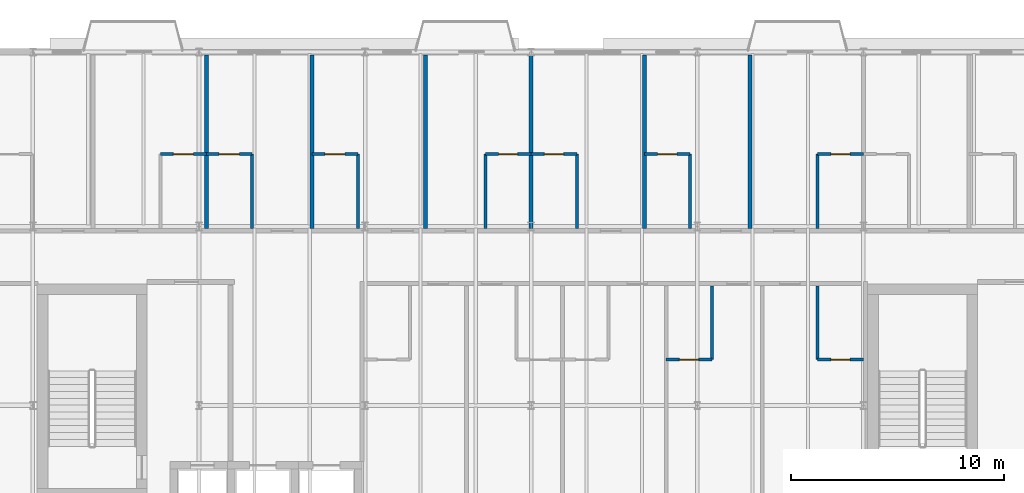
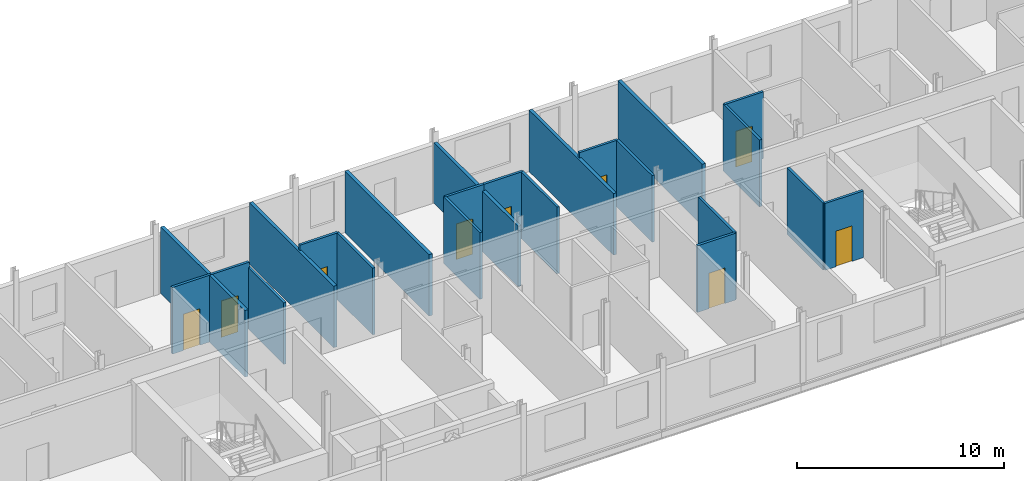
# One storey, part 15 of 22: 23 walls, 9 doors, 9 openings.
"""IFC4 building model written with IfcOpenShell, lengths in metres."""

from ifc_helpers import new_model, si_unit, direction, frame, frame_2d, origin, place, context, subcontext, project, spatial, rectangle, extrude, material, layer, layer_set, type_object, element, fill, save


model = new_model("IFC4")

# Units and contexts
model_context = context("Model", 3, precision=1e-05, world=origin(), true_north=direction((0.0, 1.0)))
body_context = subcontext(model_context, "Body", "Model", "MODEL_VIEW")
ifc_project = project(units=[si_unit("LENGTHUNIT", "METRE"), si_unit("AREAUNIT", "SQUARE_METRE"), si_unit("VOLUMEUNIT", "CUBIC_METRE"), si_unit("PLANEANGLEUNIT", "RADIAN"), si_unit("MASSUNIT", "GRAM", prefix="KILO")], contexts=[model_context])

# Site, building, storey
site_placement = place(None, origin())
site = spatial("IfcSite", under=ifc_project, at=site_placement, CompositionType="ELEMENT")
building_placement = place(site_placement, origin())
building = spatial("IfcBuilding", under=site, at=building_placement, Name="Sefraquen Railside Congress Hotel", CompositionType="ELEMENT")
storey_placement = place(building_placement, frame((0.0, 0.0, 42.60009765625)))
storey = spatial("IfcBuildingStorey", under=building, at=storey_placement, Name="L10", CompositionType="ELEMENT", Elevation=42.60009765625)

# Wall, opening, door
ifc_material_1 = material(Name="Moisture-resistant gypsum board", Category="gypsum")
ifc_layer_1 = layer(ifc_material_1, 0.139892578125)
ifc_layer_set_1 = layer_set([ifc_layer_1], Name="Moisture-resistant gypsum board")
wall_type_1 = type_object("IfcWallType", Name="TW-PW-140", PredefinedType="PARTITIONING", material=ifc_layer_set_1)
wall_1_placement = place(storey_placement, frame((31.196044921875, 113.199951171875, 0.0), z_axis=(0.0, 0.0, 1.0), x_axis=(1.0, 0.0, 0.0)))
wall_1 = element("IfcWall", 1, at=wall_1_placement, inside=storey, type_object=wall_type_1, Name="En-suite bathroom north wall RM-002", PredefinedType="PARTITIONING", context=body_context, shape_type="SweptSolid", body=[
    extrude(rectangle(XDim=2.14990234375, YDim=0.139892578125, at=frame_2d((1.074951171875, 0.0))), origin(), (0.0, 0.0, 1.0), 3.93994140625),
])
opening_1_placement = place(wall_1_placement, frame((0.60498046875, 0.0, 0.0)))
opening_1 = element("IfcOpeningElement", 2, at=opening_1_placement, cuts=wall_1, Name="Opening ID-01", PredefinedType="OPENING", context=body_context, shape_type="SweptSolid", body=[
    extrude(rectangle(XDim=0.93994140625, YDim=2.14990234375, at=frame_2d((0.469970703125, 1.074951171875))), frame((0.0, 0.079833984375, 0.0), z_axis=(0.0, -1.0, 0.0), x_axis=(1.0, 0.0, 0.0)), (0.0, 0.0, 1.0), 0.159912109375),
])
ifc_material_2 = material(Name="Lacquered cedar joinery", Category="wood")
door_type_1 = type_object("IfcDoorType", Name="TD-ID-01", OperationType="NOTDEFINED", PredefinedType="DOOR", material=ifc_material_2)
door_1_placement = place(opening_1_placement, origin())
door_1 = element("IfcDoor", 3, at=door_1_placement, inside=storey, type_object=door_type_1, Name="En-suite bathroom door RM-002", OperationType="SINGLE_SWING_LEFT", OverallHeight=2.14990234375, OverallWidth=0.93994140625, PredefinedType="DOOR", context=body_context, shape_type="SweptSolid", body=[
    extrude(rectangle(XDim=0.93994140625, YDim=2.14990234375, at=frame_2d((0.469970703125, 1.074951171875))), frame((0.0, 0.02490234375, 0.0), z_axis=(0.0, -1.0, 0.0), x_axis=(1.0, 0.0, 0.0)), (0.0, 0.0, 1.0), 0.050048828125),
])
fill(opening_1, door_1)

# Wall
wall_2_placement = place(storey_placement, frame((35.49609375, 109.699951171875, 0.0), z_axis=(0.0, 0.0, 1.0), x_axis=(0.0, 1.0, 0.0)))
element("IfcWall", 4, at=wall_2_placement, inside=storey, type_object=wall_type_1, Name="En-suite bathroom east wall RM-003", PredefinedType="PARTITIONING", context=body_context, shape_type="SweptSolid", body=[
    extrude(rectangle(XDim=3.5, YDim=0.139892578125, at=frame_2d((1.75, 0.0))), origin(), (0.0, 0.0, 1.0), 3.6298828125),
])

# Wall, opening, door
wall_3_placement = place(storey_placement, frame((33.345947265625, 113.199951171875, 0.0), z_axis=(0.0, 0.0, 1.0), x_axis=(1.0, 0.0, 0.0)))
wall_3 = element("IfcWall", 5, at=wall_3_placement, inside=storey, type_object=wall_type_1, Name="En-suite bathroom north wall RM-003", PredefinedType="PARTITIONING", context=body_context, shape_type="SweptSolid", body=[
    extrude(rectangle(XDim=2.150146484375, YDim=0.139892578125, at=frame_2d((1.0751953125, 0.0))), origin(), (0.0, 0.0, 1.0), 3.93994140625),
])
opening_2_placement = place(wall_3_placement, frame((0.60498046875, 0.0, 0.0)))
opening_2 = element("IfcOpeningElement", 6, at=opening_2_placement, cuts=wall_3, Name="Opening ID-01", PredefinedType="OPENING", context=body_context, shape_type="SweptSolid", body=[
    extrude(rectangle(XDim=0.93994140625, YDim=2.14990234375, at=frame_2d((0.469970703125, 1.074951171875))), frame((0.0, 0.079833984375, 0.0), z_axis=(0.0, -1.0, 0.0), x_axis=(1.0, 0.0, 0.0)), (0.0, 0.0, 1.0), 0.159912109375),
])
door_2_placement = place(opening_2_placement, origin())
door_2 = element("IfcDoor", 7, at=door_2_placement, inside=storey, type_object=door_type_1, Name="En-suite bathroom door RM-003", OperationType="SINGLE_SWING_LEFT", OverallHeight=2.14990234375, OverallWidth=0.93994140625, PredefinedType="DOOR", context=body_context, shape_type="SweptSolid", body=[
    extrude(rectangle(XDim=0.93994140625, YDim=2.14990234375, at=frame_2d((0.469970703125, 1.074951171875))), frame((0.0, 0.02490234375, 0.0), z_axis=(0.0, -1.0, 0.0), x_axis=(1.0, 0.0, 0.0)), (0.0, 0.0, 1.0), 0.050048828125),
])
fill(opening_2, door_2)

# Wall
wall_4_placement = place(storey_placement, frame((40.458984375, 109.699951171875, 0.0), z_axis=(0.0, 0.0, 1.0), x_axis=(0.0, 1.0, 0.0)))
element("IfcWall", 8, at=wall_4_placement, inside=storey, type_object=wall_type_1, Name="En-suite bathroom east wall RM-004", PredefinedType="PARTITIONING", context=body_context, shape_type="SweptSolid", body=[
    extrude(rectangle(XDim=3.5, YDim=0.139892578125, at=frame_2d((1.75, 0.0))), origin(), (0.0, 0.0, 1.0), 3.93994140625),
])

# Wall, opening, door
wall_5_placement = place(storey_placement, frame((38.30908203125, 113.199951171875, 0.0), z_axis=(0.0, 0.0, 1.0), x_axis=(1.0, 0.0, 0.0)))
wall_5 = element("IfcWall", 9, at=wall_5_placement, inside=storey, type_object=wall_type_1, Name="En-suite bathroom north wall RM-004", PredefinedType="PARTITIONING", context=body_context, shape_type="SweptSolid", body=[
    extrude(rectangle(XDim=2.14990234375, YDim=0.139892578125, at=frame_2d((1.074951171875, 0.0))), origin(), (0.0, 0.0, 1.0), 3.93994140625),
])
opening_3_placement = place(wall_5_placement, frame((0.60498046875, 0.0, 0.0)))
opening_3 = element("IfcOpeningElement", 10, at=opening_3_placement, cuts=wall_5, Name="Opening ID-01", PredefinedType="OPENING", context=body_context, shape_type="SweptSolid", body=[
    extrude(rectangle(XDim=0.93994140625, YDim=2.14990234375, at=frame_2d((0.469970703125, 1.074951171875))), frame((0.0, 0.079833984375, 0.0), z_axis=(0.0, -1.0, 0.0), x_axis=(1.0, 0.0, 0.0)), (0.0, 0.0, 1.0), 0.159912109375),
])
door_3_placement = place(opening_3_placement, origin())
door_3 = element("IfcDoor", 11, at=door_3_placement, inside=storey, type_object=door_type_1, Name="En-suite bathroom door RM-004", OperationType="SINGLE_SWING_LEFT", OverallHeight=2.14990234375, OverallWidth=0.93994140625, PredefinedType="DOOR", context=body_context, shape_type="SweptSolid", body=[
    extrude(rectangle(XDim=0.93994140625, YDim=2.14990234375, at=frame_2d((0.469970703125, 1.074951171875))), frame((0.0, 0.02490234375, 0.0), z_axis=(0.0, -1.0, 0.0), x_axis=(1.0, 0.0, 0.0)), (0.0, 0.0, 1.0), 0.050048828125),
])
fill(opening_3, door_3)

# Wall
wall_6_placement = place(storey_placement, frame((46.444091796875, 109.699951171875, 0.0), z_axis=(0.0, 0.0, 1.0), x_axis=(0.0, 1.0, 0.0)))
element("IfcWall", 12, at=wall_6_placement, inside=storey, type_object=wall_type_1, Name="En-suite bathroom west wall RM-005", PredefinedType="PARTITIONING", context=body_context, shape_type="SweptSolid", body=[
    extrude(rectangle(XDim=3.5, YDim=0.139892578125, at=frame_2d((1.75, 0.0))), origin(), (0.0, 0.0, 1.0), 3.93994140625),
])

# Wall, opening, door
wall_7_placement = place(storey_placement, frame((46.444091796875, 113.199951171875, 0.0), z_axis=(0.0, 0.0, 1.0), x_axis=(1.0, 0.0, 0.0)))
wall_7 = element("IfcWall", 13, at=wall_7_placement, inside=storey, type_object=wall_type_1, Name="En-suite bathroom north wall RM-005", PredefinedType="PARTITIONING", context=body_context, shape_type="SweptSolid", body=[
    extrude(rectangle(XDim=2.14990234375, YDim=0.139892578125, at=frame_2d((1.074951171875, 0.0))), origin(), (0.0, 0.0, 1.0), 3.93994140625),
])
opening_4_placement = place(wall_7_placement, frame((0.625, 0.0, 0.0)))
opening_4 = element("IfcOpeningElement", 14, at=opening_4_placement, cuts=wall_7, Name="Opening ID-02", PredefinedType="OPENING", context=body_context, shape_type="SweptSolid", body=[
    extrude(rectangle(XDim=0.89990234375, YDim=2.10009765625, at=frame_2d((0.449951171875, 1.050048828125))), frame((0.0, 0.079833984375, 0.0), z_axis=(0.0, -1.0, 0.0), x_axis=(1.0, 0.0, 0.0)), (0.0, 0.0, 1.0), 0.159912109375),
])
door_type_2 = type_object("IfcDoorType", Name="TD-ID-02", OperationType="NOTDEFINED", PredefinedType="DOOR", material=ifc_material_2)
door_4_placement = place(opening_4_placement, origin())
door_4 = element("IfcDoor", 15, at=door_4_placement, inside=storey, type_object=door_type_2, Name="En-suite bathroom door RM-005", OperationType="SINGLE_SWING_LEFT", OverallHeight=2.10009765625, OverallWidth=0.89990234375, PredefinedType="DOOR", context=body_context, shape_type="SweptSolid", body=[
    extrude(rectangle(XDim=0.89990234375, YDim=2.10009765625, at=frame_2d((0.449951171875, 1.050048828125))), frame((0.0, 0.02490234375, 0.0), z_axis=(0.0, -1.0, 0.0), x_axis=(1.0, 0.0, 0.0)), (0.0, 0.0, 1.0), 0.050048828125),
])
fill(opening_4, door_4)

# Wall
wall_8_placement = place(storey_placement, frame((50.743896484375, 109.699951171875, 0.0), z_axis=(0.0, 0.0, 1.0), x_axis=(0.0, 1.0, 0.0)))
element("IfcWall", 16, at=wall_8_placement, inside=storey, type_object=wall_type_1, Name="En-suite bathroom east wall RM-006", PredefinedType="PARTITIONING", context=body_context, shape_type="SweptSolid", body=[
    extrude(rectangle(XDim=3.5, YDim=0.139892578125, at=frame_2d((1.75, 0.0))), origin(), (0.0, 0.0, 1.0), 3.93994140625),
])

# Wall, opening, door
wall_9_placement = place(storey_placement, frame((48.593994140625, 113.199951171875, 0.0), z_axis=(0.0, 0.0, 1.0), x_axis=(1.0, 0.0, 0.0)))
wall_9 = element("IfcWall", 17, at=wall_9_placement, inside=storey, type_object=wall_type_1, Name="En-suite bathroom north wall RM-006", PredefinedType="PARTITIONING", context=body_context, shape_type="SweptSolid", body=[
    extrude(rectangle(XDim=2.14990234375, YDim=0.139892578125, at=frame_2d((1.074951171875, 0.0))), origin(), (0.0, 0.0, 1.0), 3.93994140625),
])
opening_5_placement = place(wall_9_placement, frame((0.625, 0.0, 0.0)))
opening_5 = element("IfcOpeningElement", 18, at=opening_5_placement, cuts=wall_9, Name="Opening ID-02", PredefinedType="OPENING", context=body_context, shape_type="SweptSolid", body=[
    extrude(rectangle(XDim=0.89990234375, YDim=2.10009765625, at=frame_2d((0.449951171875, 1.050048828125))), frame((0.0, 0.079833984375, 0.0), z_axis=(0.0, -1.0, 0.0), x_axis=(1.0, 0.0, 0.0)), (0.0, 0.0, 1.0), 0.159912109375),
])
door_5_placement = place(opening_5_placement, origin())
door_5 = element("IfcDoor", 19, at=door_5_placement, inside=storey, type_object=door_type_2, Name="En-suite bathroom door RM-006", OperationType="SINGLE_SWING_LEFT", OverallHeight=2.10009765625, OverallWidth=0.89990234375, PredefinedType="DOOR", context=body_context, shape_type="SweptSolid", body=[
    extrude(rectangle(XDim=0.89990234375, YDim=2.10009765625, at=frame_2d((0.449951171875, 1.050048828125))), frame((0.0, 0.02490234375, 0.0), z_axis=(0.0, -1.0, 0.0), x_axis=(1.0, 0.0, 0.0)), (0.0, 0.0, 1.0), 0.050048828125),
])
fill(opening_5, door_5)

# Wall
wall_10_placement = place(storey_placement, frame((56.06689453125, 109.699951171875, 0.0), z_axis=(0.0, 0.0, 1.0), x_axis=(0.0, 1.0, 0.0)))
element("IfcWall", 20, at=wall_10_placement, inside=storey, type_object=wall_type_1, Name="En-suite bathroom east wall RM-007", PredefinedType="PARTITIONING", context=body_context, shape_type="SweptSolid", body=[
    extrude(rectangle(XDim=3.5, YDim=0.139892578125, at=frame_2d((1.75, 0.0))), origin(), (0.0, 0.0, 1.0), 3.93994140625),
])

# Wall, opening, door
wall_11_placement = place(storey_placement, frame((53.9169921875, 113.199951171875, 0.0), z_axis=(0.0, 0.0, 1.0), x_axis=(1.0, 0.0, 0.0)))
wall_11 = element("IfcWall", 21, at=wall_11_placement, inside=storey, type_object=wall_type_1, Name="En-suite bathroom north wall RM-007", PredefinedType="PARTITIONING", context=body_context, shape_type="SweptSolid", body=[
    extrude(rectangle(XDim=2.14990234375, YDim=0.139892578125, at=frame_2d((1.074951171875, 0.0))), origin(), (0.0, 0.0, 1.0), 3.93994140625),
])
opening_6_placement = place(wall_11_placement, frame((0.625, 0.0, 0.0)))
opening_6 = element("IfcOpeningElement", 22, at=opening_6_placement, cuts=wall_11, Name="Opening ID-02", PredefinedType="OPENING", context=body_context, shape_type="SweptSolid", body=[
    extrude(rectangle(XDim=0.89990234375, YDim=2.10009765625, at=frame_2d((0.449951171875, 1.050048828125))), frame((0.0, 0.079833984375, 0.0), z_axis=(0.0, -1.0, 0.0), x_axis=(1.0, 0.0, 0.0)), (0.0, 0.0, 1.0), 0.159912109375),
])
door_6_placement = place(opening_6_placement, origin())
door_6 = element("IfcDoor", 23, at=door_6_placement, inside=storey, type_object=door_type_2, Name="En-suite bathroom door RM-007", OperationType="SINGLE_SWING_LEFT", OverallHeight=2.10009765625, OverallWidth=0.89990234375, PredefinedType="DOOR", context=body_context, shape_type="SweptSolid", body=[
    extrude(rectangle(XDim=0.89990234375, YDim=2.10009765625, at=frame_2d((0.449951171875, 1.050048828125))), frame((0.0, 0.02490234375, 0.0), z_axis=(0.0, -1.0, 0.0), x_axis=(1.0, 0.0, 0.0)), (0.0, 0.0, 1.0), 0.050048828125),
])
fill(opening_6, door_6)

# Wall
wall_12_placement = place(storey_placement, frame((62.052978515625, 109.699951171875, 0.0), z_axis=(0.0, 0.0, 1.0), x_axis=(0.0, 1.0, 0.0)))
element("IfcWall", 24, at=wall_12_placement, inside=storey, type_object=wall_type_1, Name="En-suite bathroom west wall RM-008", PredefinedType="PARTITIONING", context=body_context, shape_type="SweptSolid", body=[
    extrude(rectangle(XDim=3.5, YDim=0.139892578125, at=frame_2d((1.75, 0.0))), origin(), (0.0, 0.0, 1.0), 3.93994140625),
])

# Wall, opening, door
wall_13_placement = place(storey_placement, frame((62.052978515625, 113.199951171875, 0.0), z_axis=(0.0, 0.0, 1.0), x_axis=(1.0, 0.0, 0.0)))
wall_13 = element("IfcWall", 25, at=wall_13_placement, inside=storey, type_object=wall_type_1, Name="En-suite bathroom north wall RM-008", PredefinedType="PARTITIONING", context=body_context, shape_type="SweptSolid", body=[
    extrude(rectangle(XDim=2.14990234375, YDim=0.139892578125, at=frame_2d((1.074951171875, 0.0))), origin(), (0.0, 0.0, 1.0), 3.93994140625),
])
opening_7_placement = place(wall_13_placement, frame((0.625, 0.0, 0.0)))
opening_7 = element("IfcOpeningElement", 26, at=opening_7_placement, cuts=wall_13, Name="Opening ID-02", PredefinedType="OPENING", context=body_context, shape_type="SweptSolid", body=[
    extrude(rectangle(XDim=0.89990234375, YDim=2.10009765625, at=frame_2d((0.449951171875, 1.050048828125))), frame((0.0, 0.079833984375, 0.0), z_axis=(0.0, -1.0, 0.0), x_axis=(1.0, 0.0, 0.0)), (0.0, 0.0, 1.0), 0.159912109375),
])
door_7_placement = place(opening_7_placement, origin())
door_7 = element("IfcDoor", 27, at=door_7_placement, inside=storey, type_object=door_type_2, Name="En-suite bathroom door RM-008", OperationType="SINGLE_SWING_LEFT", OverallHeight=2.10009765625, OverallWidth=0.89990234375, PredefinedType="DOOR", context=body_context, shape_type="SweptSolid", body=[
    extrude(rectangle(XDim=0.89990234375, YDim=2.10009765625, at=frame_2d((0.449951171875, 1.050048828125))), frame((0.0, 0.02490234375, 0.0), z_axis=(0.0, -1.0, 0.0), x_axis=(1.0, 0.0, 0.0)), (0.0, 0.0, 1.0), 0.050048828125),
])
fill(opening_7, door_7)

# Wall
wall_14_placement = place(storey_placement, frame((57.090087890625, 103.550048828125, 0.0), z_axis=(0.0, 0.0, 1.0), x_axis=(0.0, 1.0, 0.0)))
element("IfcWall", 28, at=wall_14_placement, inside=storey, type_object=wall_type_1, Name="En-suite bathroom east wall RM-018", PredefinedType="PARTITIONING", context=body_context, shape_type="SweptSolid", body=[
    extrude(rectangle(XDim=3.469970703125, YDim=0.139892578125, at=frame_2d((1.73486328125, 0.0))), origin(), (0.0, 0.0, 1.0), 3.93994140625),
])

# Wall, opening, door
wall_15_placement = place(storey_placement, frame((54.93994140625, 103.550048828125, 0.0), z_axis=(0.0, 0.0, 1.0), x_axis=(1.0, 0.0, 0.0)))
wall_15 = element("IfcWall", 29, at=wall_15_placement, inside=storey, type_object=wall_type_1, Name="En-suite bathroom south wall RM-018", PredefinedType="PARTITIONING", context=body_context, shape_type="SweptSolid", body=[
    extrude(rectangle(XDim=2.150146484375, YDim=0.139892578125, at=frame_2d((1.0751953125, 0.0))), origin(), (0.0, 0.0, 1.0), 3.93994140625),
])
opening_8_placement = place(wall_15_placement, frame((0.625, 0.0, 0.0)))
opening_8 = element("IfcOpeningElement", 30, at=opening_8_placement, cuts=wall_15, Name="Opening ID-02", PredefinedType="OPENING", context=body_context, shape_type="SweptSolid", body=[
    extrude(rectangle(XDim=0.89990234375, YDim=2.10009765625, at=frame_2d((0.449951171875, 1.050048828125))), frame((0.0, 0.079833984375, 0.0), z_axis=(0.0, -1.0, 0.0), x_axis=(1.0, 0.0, 0.0)), (0.0, 0.0, 1.0), 0.159912109375),
])
door_8_placement = place(opening_8_placement, frame((0.89990234375, 0.0, 0.0), z_axis=(0.0, 0.0, 1.0), x_axis=(-1.0, 0.0, 0.0)))
door_8 = element("IfcDoor", 31, at=door_8_placement, inside=storey, type_object=door_type_2, Name="En-suite bathroom door RM-018", OperationType="SINGLE_SWING_LEFT", OverallHeight=2.10009765625, OverallWidth=0.89990234375, PredefinedType="DOOR", context=body_context, shape_type="SweptSolid", body=[
    extrude(rectangle(XDim=0.89990234375, YDim=2.10009765625, at=frame_2d((0.449951171875, 1.050048828125))), frame((0.0, 0.02490234375, 0.0), z_axis=(0.0, -1.0, 0.0), x_axis=(1.0, 0.0, 0.0)), (0.0, 0.0, 1.0), 0.050048828125),
])
fill(opening_8, door_8)

# Wall
wall_16_placement = place(storey_placement, frame((62.050048828125, 103.550048828125, 0.0), z_axis=(0.0, 0.0, 1.0), x_axis=(0.0, 1.0, 0.0)))
element("IfcWall", 32, at=wall_16_placement, inside=storey, type_object=wall_type_1, Name="En-suite bathroom west wall RM-019", PredefinedType="PARTITIONING", context=body_context, shape_type="SweptSolid", body=[
    extrude(rectangle(XDim=3.469970703125, YDim=0.139892578125, at=frame_2d((1.73486328125, 0.0))), origin(), (0.0, 0.0, 1.0), 3.93994140625),
])

# Wall, opening, door
wall_17_placement = place(storey_placement, frame((62.050048828125, 103.550048828125, 0.0), z_axis=(0.0, 0.0, 1.0), x_axis=(1.0, 0.0, 0.0)))
wall_17 = element("IfcWall", 33, at=wall_17_placement, inside=storey, type_object=wall_type_1, Name="En-suite bathroom south wall RM-019", PredefinedType="PARTITIONING", context=body_context, shape_type="SweptSolid", body=[
    extrude(rectangle(XDim=2.14990234375, YDim=0.139892578125, at=frame_2d((1.074951171875, 0.0))), origin(), (0.0, 0.0, 1.0), 3.93994140625),
])
opening_9_placement = place(wall_17_placement, frame((0.625, 0.0, 0.0)))
opening_9 = element("IfcOpeningElement", 34, at=opening_9_placement, cuts=wall_17, Name="Opening ID-02", PredefinedType="OPENING", context=body_context, shape_type="SweptSolid", body=[
    extrude(rectangle(XDim=0.89990234375, YDim=2.10009765625, at=frame_2d((0.449951171875, 1.050048828125))), frame((0.0, 0.079833984375, 0.0), z_axis=(0.0, -1.0, 0.0), x_axis=(1.0, 0.0, 0.0)), (0.0, 0.0, 1.0), 0.159912109375),
])
door_9_placement = place(opening_9_placement, frame((0.89990234375, 0.0, 0.0), z_axis=(0.0, 0.0, 1.0), x_axis=(-1.0, 0.0, 0.0)))
door_9 = element("IfcDoor", 35, at=door_9_placement, inside=storey, type_object=door_type_2, Name="En-suite bathroom door RM-019", OperationType="SINGLE_SWING_LEFT", OverallHeight=2.10009765625, OverallWidth=0.89990234375, PredefinedType="DOOR", context=body_context, shape_type="SweptSolid", body=[
    extrude(rectangle(XDim=0.89990234375, YDim=2.10009765625, at=frame_2d((0.449951171875, 1.050048828125))), frame((0.0, 0.02490234375, 0.0), z_axis=(0.0, -1.0, 0.0), x_axis=(1.0, 0.0, 0.0)), (0.0, 0.0, 1.0), 0.050048828125),
])
fill(opening_9, door_9)

# Walls
ifc_material_3 = material(Name="Acoustic gypsum board on metal stud", Category="gypsum")
ifc_layer_2 = layer(ifc_material_3, 0.179931640625)
ifc_layer_set_2 = layer_set([ifc_layer_2], Name="Acoustic gypsum board on metal stud")
wall_type_2 = type_object("IfcWallType", Name="TW-PW-180", PredefinedType="PARTITIONING", material=ifc_layer_set_2)
wall_18_placement = place(storey_placement, frame((33.345947265625, 109.699951171875, 0.0), z_axis=(0.0, 0.0, 1.0), x_axis=(0.0, 1.0, 0.0)))
element("IfcWall", 36, at=wall_18_placement, inside=storey, type_object=wall_type_2, Name="Guest room demising wall RM-002", PredefinedType="PARTITIONING", context=body_context, shape_type="SweptSolid", body=[
    extrude(rectangle(XDim=8.150146484375, YDim=0.179931640625, at=frame_2d((4.0751953125, 0.0))), origin(), (0.0, 0.0, 1.0), 3.93994140625),
])
for number, where, z_axis, x_axis, name in (
    (37, (38.30908203125, 109.699951171875, 0.0), (0.0, 0.0, 1.0), (0.0, 1.0, 0.0), "Guest room demising wall RM-003"),
    (38, (43.631103515625, 109.699951171875, 0.0), (0.0, 0.0, 1.0), (0.0, 1.0, 0.0), "Guest room demising wall RM-004"),
):
    element("IfcWall", number, at=place(storey_placement, frame(where, z_axis=z_axis, x_axis=x_axis)), inside=storey, type_object=wall_type_2, Name=name, PredefinedType="PARTITIONING", context=body_context, shape_type="SweptSolid", body=[
        extrude(rectangle(XDim=8.150146484375, YDim=0.179931640625, at=frame_2d((4.0751953125, 0.0))), origin(), (0.0, 0.0, 1.0), 3.6298828125),
    ])
wall_19_placement = place(storey_placement, frame((48.593994140625, 109.699951171875, 0.0), z_axis=(0.0, 0.0, 1.0), x_axis=(0.0, 1.0, 0.0)))
element("IfcWall", 39, at=wall_19_placement, inside=storey, type_object=wall_type_2, Name="Guest room demising wall RM-005", PredefinedType="PARTITIONING", context=body_context, shape_type="SweptSolid", body=[
    extrude(rectangle(XDim=8.150146484375, YDim=0.179931640625, at=frame_2d((4.0751953125, 0.0))), origin(), (0.0, 0.0, 1.0), 3.56982421875),
])
for number, where, z_axis, x_axis, name in (
    (40, (53.9169921875, 109.699951171875, 0.0), (0.0, 0.0, 1.0), (0.0, 1.0, 0.0), "Guest room demising wall RM-006"),
    (41, (58.8798828125, 109.699951171875, 0.0), (0.0, 0.0, 1.0), (0.0, 1.0, 0.0), "Guest room demising wall RM-007"),
):
    element("IfcWall", number, at=place(storey_placement, frame(where, z_axis=z_axis, x_axis=x_axis)), inside=storey, type_object=wall_type_2, Name=name, PredefinedType="PARTITIONING", context=body_context, shape_type="SweptSolid", body=[
        extrude(rectangle(XDim=8.150146484375, YDim=0.179931640625, at=frame_2d((4.0751953125, 0.0))), origin(), (0.0, 0.0, 1.0), 3.6298828125),
    ])

save(model, "model.ifc")
